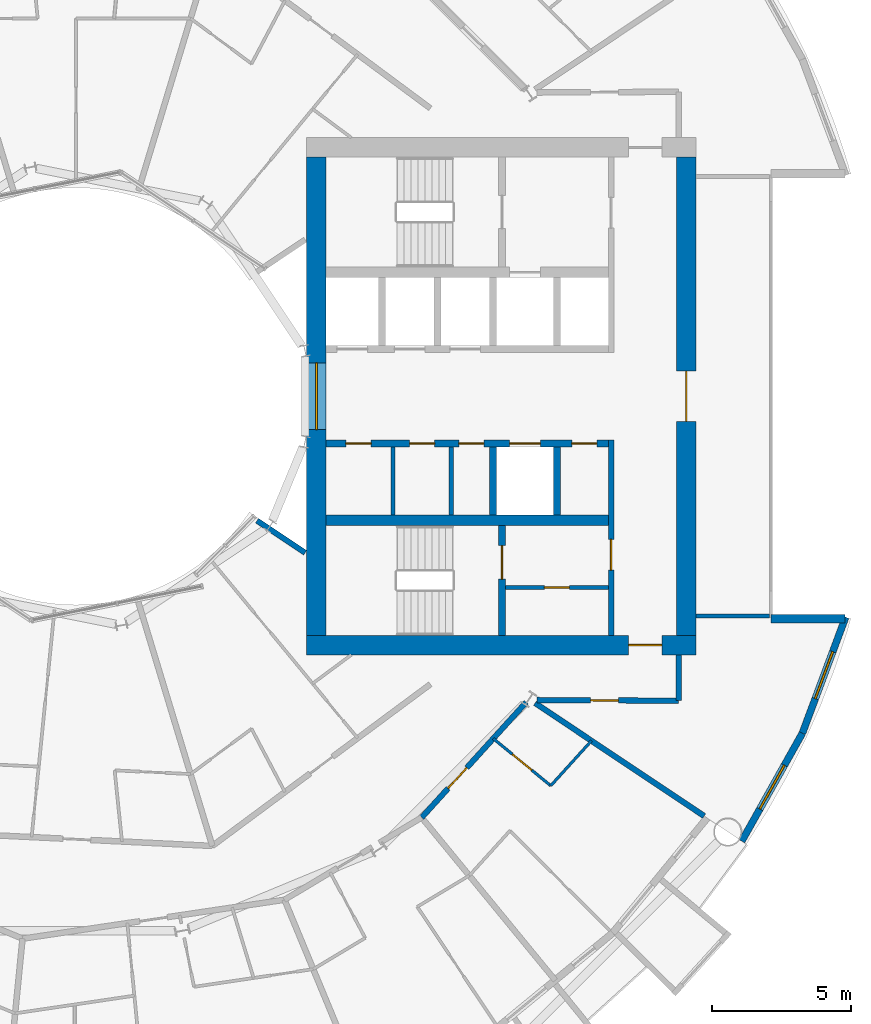
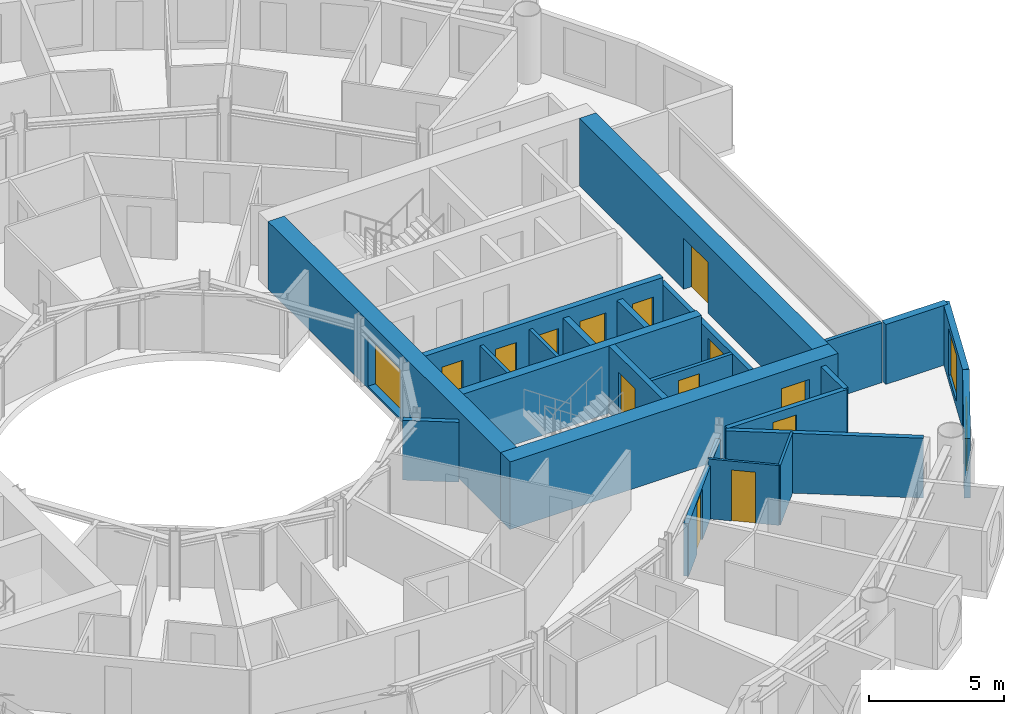
# One storey, part 17 of 26: 23 walls, 13 doors, 3 windows, 16 openings.
"""IFC4 building model written with IfcOpenShell, lengths in metres."""

from ifc_helpers import new_model, si_unit, direction, frame, frame_2d, origin, place, context, subcontext, project, spatial, rectangle, extrude, material, layer, layer_set, type_object, element, fill, save


model = new_model("IFC4")

# Units and contexts
model_context = context("Model", 3, precision=1e-05, world=origin(), true_north=direction((0.0, 1.0)))
body_context = subcontext(model_context, "Body", "Model", "MODEL_VIEW")
ifc_project = project(units=[si_unit("LENGTHUNIT", "METRE"), si_unit("AREAUNIT", "SQUARE_METRE"), si_unit("VOLUMEUNIT", "CUBIC_METRE"), si_unit("PLANEANGLEUNIT", "RADIAN"), si_unit("MASSUNIT", "GRAM", prefix="KILO")], contexts=[model_context])

# Site, building, storey
site_placement = place(None, origin())
site = spatial("IfcSite", under=ifc_project, at=site_placement, CompositionType="ELEMENT")
building_placement = place(site_placement, origin())
building = spatial("IfcBuilding", under=site, at=building_placement, Name="Maasbend Ring Residences", CompositionType="ELEMENT")
storey_placement = place(building_placement, frame((0.0, 0.0, 75.800048828125)))
storey = spatial("IfcBuildingStorey", under=building, at=storey_placement, Name="L21", CompositionType="ELEMENT", Elevation=75.800048828125)

# Wall, openings, doors
ifc_material_1 = material(Name="Concrete C70/85", Category="concrete")
ifc_layer_1 = layer(ifc_material_1, 0.25)
ifc_layer_set_1 = layer_set([ifc_layer_1], Name="Concrete C70/85")
wall_type_1 = type_object("IfcWallType", Name="CORE WALL 250 C70/85", PredefinedType="SHEAR", material=ifc_layer_set_1)
wall_1_placement = place(storey_placement, frame((19.14990234375, -1.699951171875, 0.0), z_axis=(0.0, 0.0, 1.0), x_axis=(-1.0, 0.0, 0.0)))
wall_1 = element("IfcWall", 1, at=wall_1_placement, inside=storey, type_object=wall_type_1, Name="L21 core E wall SPS", PredefinedType="SHEAR", context=body_context, shape_type="SweptSolid", body=[
    extrude(rectangle(XDim=10.14990234375, YDim=0.25, at=frame_2d((5.074951171875, 0.0))), origin(), (0.0, 0.0, 1.0), 3.050048828125),
])
opening_1_placement = place(wall_1_placement, frame((2.449951171875, 0.0, 0.0)))
opening_1 = element("IfcOpeningElement", 2, at=opening_1_placement, cuts=wall_1, Name="Opening LD-E2105", PredefinedType="OPENING", context=body_context, shape_type="SweptSolid", body=[
    extrude(rectangle(XDim=1.10009765625, YDim=2.300048828125, at=frame_2d((0.550048828125, 1.14990234375))), frame((0.0, 0.135009765625, 0.0), z_axis=(0.0, -1.0, 0.0), x_axis=(1.0, 0.0, 0.0)), (0.0, 0.0, 1.0), 0.27001953125),
])
opening_2_placement = place(wall_1_placement, frame((8.53759765625, 0.0, 0.0)))
opening_2 = element("IfcOpeningElement", 3, at=opening_2_placement, cuts=wall_1, Name="Opening D-E2106", PredefinedType="OPENING", context=body_context, shape_type="SweptSolid", body=[
    extrude(rectangle(XDim=0.89990234375, YDim=2.300048828125, at=frame_2d((0.449951171875, 1.14990234375))), frame((0.0, 0.135009765625, 0.0), z_axis=(0.0, -1.0, 0.0), x_axis=(1.0, 0.0, 0.0)), (0.0, 0.0, 1.0), 0.27001953125),
])
opening_3_placement = place(wall_1_placement, frame((6.25, 0.0, 0.0)))
opening_3 = element("IfcOpeningElement", 4, at=opening_3_placement, cuts=wall_1, Name="Opening D-E2107", PredefinedType="OPENING", context=body_context, shape_type="SweptSolid", body=[
    extrude(rectangle(XDim=0.89990234375, YDim=2.300048828125, at=frame_2d((0.449951171875, 1.14990234375))), frame((0.0, 0.135009765625, 0.0), z_axis=(0.0, -1.0, 0.0), x_axis=(1.0, 0.0, 0.0)), (0.0, 0.0, 1.0), 0.27001953125),
])
opening_4_placement = place(wall_1_placement, frame((4.47509765625, 0.0, 0.0)))
opening_4 = element("IfcOpeningElement", 5, at=opening_4_placement, cuts=wall_1, Name="Opening D-E2108", PredefinedType="OPENING", context=body_context, shape_type="SweptSolid", body=[
    extrude(rectangle(XDim=0.89990234375, YDim=2.300048828125, at=frame_2d((0.449951171875, 1.14990234375))), frame((0.0, 0.135009765625, 0.0), z_axis=(0.0, -1.0, 0.0), x_axis=(1.0, 0.0, 0.0)), (0.0, 0.0, 1.0), 0.27001953125),
])
opening_5_placement = place(wall_1_placement, frame((0.41259765625, 0.0, 0.0)))
opening_5 = element("IfcOpeningElement", 6, at=opening_5_placement, cuts=wall_1, Name="Opening D-E2109", PredefinedType="OPENING", context=body_context, shape_type="SweptSolid", body=[
    extrude(rectangle(XDim=0.89990234375, YDim=2.300048828125, at=frame_2d((0.449951171875, 1.14990234375))), frame((0.0, 0.135009765625, 0.0), z_axis=(0.0, -1.0, 0.0), x_axis=(1.0, 0.0, 0.0)), (0.0, 0.0, 1.0), 0.27001953125),
])
ifc_material_2 = material(Name="Stainless steel 316", Category="steel")
door_type_1 = type_object("IfcDoorType", Name="LANDING DOOR 1100 X 2300 FD60", OperationType="DOUBLE_DOOR_SLIDING", PredefinedType="DOOR", material=ifc_material_2)
door_1_placement = place(opening_1_placement, origin())
door_1 = element("IfcDoor", 7, at=door_1_placement, inside=storey, type_object=door_type_1, Name="Landing door SV-E L21", OperationType="DOUBLE_DOOR_SLIDING", OverallHeight=2.300048828125, OverallWidth=1.10009765625, PredefinedType="DOOR", context=body_context, shape_type="SweptSolid", body=[
    extrude(rectangle(XDim=1.10009765625, YDim=2.300048828125, at=frame_2d((0.550048828125, 1.14990234375))), frame((0.0, 0.02490234375, 0.0), z_axis=(0.0, -1.0, 0.0), x_axis=(1.0, 0.0, 0.0)), (0.0, 0.0, 1.0), 0.050048828125),
])
fill(opening_1, door_1)
ifc_material_3 = material(Name="Steel, powder coated", Category="steel")
door_type_2 = type_object("IfcDoorType", Name="ROOM DOOR 900 X 2300 FD30S", OperationType="NOTDEFINED", PredefinedType="DOOR", material=ifc_material_3)
door_2_placement = place(opening_2_placement, origin())
door_2 = element("IfcDoor", 8, at=door_2_placement, inside=storey, type_object=door_type_2, Name="Room door L21", OperationType="SINGLE_SWING_LEFT", OverallHeight=2.300048828125, OverallWidth=0.89990234375, PredefinedType="DOOR", context=body_context, shape_type="SweptSolid", body=[
    extrude(rectangle(XDim=0.89990234375, YDim=2.300048828125, at=frame_2d((0.449951171875, 1.14990234375))), frame((0.0, 0.02490234375, 0.0), z_axis=(0.0, -1.0, 0.0), x_axis=(1.0, 0.0, 0.0)), (0.0, 0.0, 1.0), 0.050048828125),
])
fill(opening_2, door_2)
door_3_placement = place(opening_3_placement, origin())
door_3 = element("IfcDoor", 9, at=door_3_placement, inside=storey, type_object=door_type_2, Name="Room door L21", OperationType="SINGLE_SWING_LEFT", OverallHeight=2.300048828125, OverallWidth=0.89990234375, PredefinedType="DOOR", context=body_context, shape_type="SweptSolid", body=[
    extrude(rectangle(XDim=0.89990234375, YDim=2.300048828125, at=frame_2d((0.449951171875, 1.14990234375))), frame((0.0, 0.02490234375, 0.0), z_axis=(0.0, -1.0, 0.0), x_axis=(1.0, 0.0, 0.0)), (0.0, 0.0, 1.0), 0.050048828125),
])
fill(opening_3, door_3)
door_4_placement = place(opening_4_placement, origin())
door_4 = element("IfcDoor", 10, at=door_4_placement, inside=storey, type_object=door_type_2, Name="Room door L21", OperationType="SINGLE_SWING_RIGHT", OverallHeight=2.300048828125, OverallWidth=0.89990234375, PredefinedType="DOOR", context=body_context, shape_type="SweptSolid", body=[
    extrude(rectangle(XDim=0.89990234375, YDim=2.300048828125, at=frame_2d((0.449951171875, 1.14990234375))), frame((0.0, 0.02490234375, 0.0), z_axis=(0.0, -1.0, 0.0), x_axis=(1.0, 0.0, 0.0)), (0.0, 0.0, 1.0), 0.050048828125),
])
fill(opening_4, door_4)
door_5_placement = place(opening_5_placement, origin())
door_5 = element("IfcDoor", 11, at=door_5_placement, inside=storey, type_object=door_type_2, Name="Room door L21", OperationType="SINGLE_SWING_RIGHT", OverallHeight=2.300048828125, OverallWidth=0.89990234375, PredefinedType="DOOR", context=body_context, shape_type="SweptSolid", body=[
    extrude(rectangle(XDim=0.89990234375, YDim=2.300048828125, at=frame_2d((0.449951171875, 1.14990234375))), frame((0.0, 0.02490234375, 0.0), z_axis=(0.0, -1.0, 0.0), x_axis=(1.0, 0.0, 0.0)), (0.0, 0.0, 1.0), 0.050048828125),
])
fill(opening_5, door_5)

# Wall, opening, door
wall_2_placement = place(storey_placement, frame((15.324951171875, -8.60009765625, 0.0), z_axis=(0.0, 0.0, 1.0), x_axis=(0.0, 1.0, 0.0)))
wall_2 = element("IfcWall", 12, at=wall_2_placement, inside=storey, type_object=wall_type_1, Name="L21 core E wall STES", PredefinedType="SHEAR", context=body_context, shape_type="SweptSolid", body=[
    extrude(rectangle(XDim=3.9501953125, YDim=0.25, at=frame_2d((1.97509765625, 0.0))), origin(), (0.0, 0.0, 1.0), 3.050048828125),
])
opening_6_placement = place(wall_2_placement, frame((2.02490234375, 0.0, 0.0)))
opening_6 = element("IfcOpeningElement", 13, at=opening_6_placement, cuts=wall_2, Name="Opening D-E2112", PredefinedType="OPENING", context=body_context, shape_type="SweptSolid", body=[
    extrude(rectangle(XDim=1.199951171875, YDim=2.300048828125, at=frame_2d((0.60009765625, 1.14990234375))), frame((0.0, 0.135009765625, 0.0), z_axis=(0.0, -1.0, 0.0), x_axis=(1.0, 0.0, 0.0)), (0.0, 0.0, 1.0), 0.27001953125),
])
ifc_material_4 = material(Name="Steel, powder coated", Category="steel")
door_type_3 = type_object("IfcDoorType", Name="STAIR DOOR 1200 X 2300 FD60", OperationType="NOTDEFINED", PredefinedType="DOOR", material=ifc_material_4)
door_6_placement = place(opening_6_placement, origin())
door_6 = element("IfcDoor", 14, at=door_6_placement, inside=storey, type_object=door_type_3, Name="Stair door ST-E L21", OperationType="SINGLE_SWING_LEFT", OverallHeight=2.300048828125, OverallWidth=1.199951171875, PredefinedType="DOOR", context=body_context, shape_type="SweptSolid", body=[
    extrude(rectangle(XDim=1.199951171875, YDim=2.300048828125, at=frame_2d((0.60009765625, 1.14990234375))), frame((0.0, 0.02490234375, 0.0), z_axis=(0.0, -1.0, 0.0), x_axis=(1.0, 0.0, 0.0)), (0.0, 0.0, 1.0), 0.050048828125),
])
fill(opening_6, door_6)

# Wall
ifc_material_5 = material(Name="Concrete C70/85", Category="concrete")
ifc_layer_2 = layer(ifc_material_5, 0.375)
ifc_layer_set_2 = layer_set([ifc_layer_2], Name="Concrete C70/85")
wall_type_2 = type_object("IfcWallType", Name="CORE WALL 375 C70/85", PredefinedType="SHEAR", material=ifc_layer_set_2)
wall_3_placement = place(storey_placement, frame((9.0, -4.46240234375, 0.0), z_axis=(0.0, 0.0, 1.0), x_axis=(1.0, 0.0, 0.0)))
element("IfcWall", 15, at=wall_3_placement, inside=storey, type_object=wall_type_2, Name="L21 core E wall BS", PredefinedType="SHEAR", context=body_context, shape_type="SweptSolid", body=[
    extrude(rectangle(XDim=10.14990234375, YDim=0.375, at=frame_2d((5.074951171875, 0.0))), origin(), (0.0, 0.0, 1.0), 3.050048828125),
])

# Wall, opening, door
ifc_material_6 = material(Name="Concrete C70/85", Category="concrete")
ifc_layer_3 = layer(ifc_material_6, 0.699951171875)
ifc_layer_set_3 = layer_set([ifc_layer_3], Name="Concrete C70/85")
wall_type_3 = type_object("IfcWallType", Name="CORE WALL 700 C70/85", PredefinedType="SHEAR", material=ifc_layer_set_3)
wall_4_placement = place(storey_placement, frame((8.300048828125, -8.949951171875, 0.0), z_axis=(0.0, 0.0, 1.0), x_axis=(1.0, 0.0, 0.0)))
wall_4 = element("IfcWall", 16, at=wall_4_placement, inside=storey, type_object=wall_type_3, Name="L21 core E wall PS", PredefinedType="SHEAR", context=body_context, shape_type="SweptSolid", body=[
    extrude(rectangle(XDim=14.0, YDim=0.699951171875, at=frame_2d((7.0, 0.0))), origin(), (0.0, 0.0, 1.0), 3.050048828125),
])
opening_7_placement = place(wall_4_placement, frame((11.574951171875, 0.0, 0.0)))
opening_7 = element("IfcOpeningElement", 17, at=opening_7_placement, cuts=wall_4, Name="Opening D-E2116", PredefinedType="OPENING", context=body_context, shape_type="SweptSolid", body=[
    extrude(rectangle(XDim=1.199951171875, YDim=2.300048828125, at=frame_2d((0.60009765625, 1.14990234375))), frame((0.0, 0.35986328125, 0.0), z_axis=(0.0, -1.0, 0.0), x_axis=(1.0, 0.0, 0.0)), (0.0, 0.0, 1.0), 0.719970703125),
])
ifc_material_7 = material(Name="Steel, powder coated", Category="steel")
door_type_4 = type_object("IfcDoorType", Name="CORRIDOR DOOR 1200 X 2300 FD30S", OperationType="NOTDEFINED", PredefinedType="DOOR", material=ifc_material_7)
door_7_placement = place(opening_7_placement, origin())
door_7 = element("IfcDoor", 18, at=door_7_placement, inside=storey, type_object=door_type_4, Name="Corridor door L21", OperationType="SINGLE_SWING_LEFT", OverallHeight=2.300048828125, OverallWidth=1.199951171875, PredefinedType="DOOR", context=body_context, shape_type="SweptSolid", body=[
    extrude(rectangle(XDim=1.199951171875, YDim=2.300048828125, at=frame_2d((0.60009765625, 1.14990234375))), frame((0.0, 0.02490234375, 0.0), z_axis=(0.0, -1.0, 0.0), x_axis=(1.0, 0.0, 0.0)), (0.0, 0.0, 1.0), 0.050048828125),
])
fill(opening_7, door_7)

wall_5_placement = place(storey_placement, frame((21.949951171875, 8.60009765625, 0.0), z_axis=(0.0, 0.0, 1.0), x_axis=(0.0, -1.0, 0.0)))
wall_5 = element("IfcWall", 19, at=wall_5_placement, inside=storey, type_object=wall_type_3, Name="L21 core E wall POUT", PredefinedType="SHEAR", context=body_context, shape_type="SweptSolid", body=[
    extrude(rectangle(XDim=17.2001953125, YDim=0.699951171875, at=frame_2d((8.60009765625, 0.0))), origin(), (0.0, 0.0, 1.0), 3.050048828125),
])
opening_8_placement = place(wall_5_placement, frame((7.699951171875, 0.0, 0.0)))
opening_8 = element("IfcOpeningElement", 20, at=opening_8_placement, cuts=wall_5, Name="Opening D-E2117", PredefinedType="OPENING", context=body_context, shape_type="SweptSolid", body=[
    extrude(rectangle(XDim=1.800048828125, YDim=2.300048828125, at=frame_2d((0.89990234375, 1.14990234375))), frame((0.0, 0.35986328125, 0.0), z_axis=(0.0, -1.0, 0.0), x_axis=(1.0, 0.0, 0.0)), (0.0, 0.0, 1.0), 0.719970703125),
])
ifc_material_8 = material(Name="Aluminium frame, clear glass", Category="aluminium")
door_type_5 = type_object("IfcDoorType", Name="ENTRANCE DOOR 1800 X 2300 FD60", OperationType="NOTDEFINED", PredefinedType="DOOR", material=ifc_material_8)
door_8_placement = place(opening_8_placement, origin())
door_8 = element("IfcDoor", 21, at=door_8_placement, inside=storey, type_object=door_type_5, Name="Lobby glazed door L21", OperationType="SINGLE_SWING_LEFT", OverallHeight=2.300048828125, OverallWidth=1.800048828125, PredefinedType="DOOR", context=body_context, shape_type="SweptSolid", body=[
    extrude(rectangle(XDim=1.800048828125, YDim=2.300048828125, at=frame_2d((0.89990234375, 1.14990234375))), frame((0.0, 0.02490234375, 0.0), z_axis=(0.0, -1.0, 0.0), x_axis=(1.0, 0.0, 0.0)), (0.0, 0.0, 1.0), 0.050048828125),
])
fill(opening_8, door_8)

# Wall, opening, window
wall_6_placement = place(storey_placement, frame((8.64990234375, -8.60009765625, 0.0), z_axis=(0.0, 0.0, 1.0), x_axis=(0.0, 1.0, 0.0)))
wall_6 = element("IfcWall", 22, at=wall_6_placement, inside=storey, type_object=wall_type_3, Name="L21 core E wall PIN", PredefinedType="SHEAR", context=body_context, shape_type="SweptSolid", body=[
    extrude(rectangle(XDim=17.2001953125, YDim=0.699951171875, at=frame_2d((8.60009765625, 0.0))), origin(), (0.0, 0.0, 1.0), 3.050048828125),
])
opening_9_placement = place(wall_6_placement, frame((7.39990234375, 0.0, 0.10009765625)))
opening_9 = element("IfcOpeningElement", 23, at=opening_9_placement, cuts=wall_6, Name="Opening W-E2101", PredefinedType="OPENING", context=body_context, shape_type="SweptSolid", body=[
    extrude(rectangle(XDim=2.39990234375, YDim=2.199951171875, at=frame_2d((1.199951171875, 1.10009765625))), frame((0.0, 0.35986328125, 0.0), z_axis=(0.0, -1.0, 0.0), x_axis=(1.0, 0.0, 0.0)), (0.0, 0.0, 1.0), 0.719970703125),
])
ifc_material_9 = material(Name="Aluminium frame and clear glass", Category="aluminium")
window_type_1 = type_object("IfcWindowType", Name="FIXED WINDOW 2400 X 2200", PartitioningType="SINGLE_PANEL", PredefinedType="WINDOW", material=ifc_material_9)
window_1_placement = place(opening_9_placement, origin())
window_1 = element("IfcWindow", 24, at=window_1_placement, inside=storey, type_object=window_type_1, Name="Lobby window L21", OverallHeight=2.199951171875, OverallWidth=2.39990234375, PartitioningType="SINGLE_PANEL", PredefinedType="WINDOW", context=body_context, shape_type="SweptSolid", body=[
    extrude(rectangle(XDim=2.39990234375, YDim=2.199951171875, at=frame_2d((1.199951171875, 1.10009765625))), frame((0.0, 0.030029296875, 0.0), z_axis=(0.0, -1.0, 0.0), x_axis=(1.0, 0.0, 0.0)), (0.0, 0.0, 1.0), 0.06005859375),
])
fill(opening_9, window_1)

# Wall
ifc_material_10 = material(Name="Concrete C30/37", Category="concrete")
ifc_layer_4 = layer(ifc_material_10, 0.199951171875)
ifc_layer_set_4 = layer_set([ifc_layer_4], Name="Concrete C30/37")
wall_type_4 = type_object("IfcWallType", Name="CORRIDOR WALL 200 CONCRETE", PredefinedType="PARTITIONING", material=ifc_layer_set_4)
wall_7_placement = place(storey_placement, frame((21.675048828125, -10.949951171875, 0.0), z_axis=(0.0, 0.0, 1.0), x_axis=(0.0, 1.0, 0.0)))
element("IfcWall", 25, at=wall_7_placement, inside=storey, type_object=wall_type_4, Name="U-L21-w007", PredefinedType="PARTITIONING", context=body_context, shape_type="SweptSolid", body=[
    extrude(rectangle(XDim=1.64990234375, YDim=0.199951171875, at=frame_2d((0.824951171875, 0.0))), origin(), (0.0, 0.0, 1.0), 2.699951171875),
])

# Wall, opening, door
wall_8_placement = place(storey_placement, frame((12.43408203125, -15.15087890625, 0.0), z_axis=(0.0, 0.0, 1.0), x_axis=(0.671601747072, 0.740912338492, 0.0)))
wall_8 = element("IfcWall", 26, at=wall_8_placement, inside=storey, type_object=wall_type_4, Name="U-L21-w016", PredefinedType="PARTITIONING", context=body_context, shape_type="SweptSolid", body=[
    extrude(rectangle(XDim=5.59716796875, YDim=0.199951171875, at=frame_2d((2.798583984375, 0.0))), origin(), (0.0, 0.0, 1.0), 2.3798828125),
])
opening_10_placement = place(wall_8_placement, frame((1.4169921875, 0.0, 0.0)))
opening_10 = element("IfcOpeningElement", 27, at=opening_10_placement, cuts=wall_8, Name="Opening D-2152", PredefinedType="OPENING", context=body_context, shape_type="SweptSolid", body=[
    extrude(rectangle(XDim=1.0, YDim=2.300048828125, at=frame_2d((0.5, 1.14990234375))), frame((0.0, 0.10986328125, 0.0), z_axis=(0.0, -1.0, 0.0), x_axis=(1.0, 0.0, 0.0)), (0.0, 0.0, 1.0), 0.219970703125),
])
ifc_material_11 = material(Name="Timber, fire-rated, painted", Category="wood")
door_type_6 = type_object("IfcDoorType", Name="FLAT ENTRANCE DOOR 1000 X 2300 FIRE-RATED", OperationType="NOTDEFINED", PredefinedType="DOOR", material=ifc_material_11)
door_9_placement = place(opening_10_placement, origin())
door_9 = element("IfcDoor", 28, at=door_9_placement, inside=storey, type_object=door_type_6, Name="D-2152", OperationType="SINGLE_SWING_LEFT", OverallHeight=2.300048828125, OverallWidth=1.0, PredefinedType="DOOR", context=body_context, shape_type="SweptSolid", body=[
    extrude(rectangle(XDim=1.0, YDim=2.300048828125, at=frame_2d((0.5, 1.14990234375))), frame((0.0, 0.02490234375, 0.0), z_axis=(0.0, -1.0, 0.0), x_axis=(1.0, 0.0, 0.0)), (0.0, 0.0, 1.0), 0.050048828125),
])
fill(opening_10, door_9)

wall_9_placement = place(storey_placement, frame((16.589111328125, -10.924072265625, 0.0), z_axis=(0.0, 0.0, 1.0), x_axis=(0.999987054722, -0.005088259783, 0.0)))
wall_9 = element("IfcWall", 29, at=wall_9_placement, inside=storey, type_object=wall_type_4, Name="U-L21-w029", PredefinedType="PARTITIONING", context=body_context, shape_type="SweptSolid", body=[
    extrude(rectangle(XDim=5.0859375, YDim=0.199951171875, at=frame_2d((2.54296875, 0.0))), origin(), (0.0, 0.0, 1.0), 2.699951171875),
])
opening_11_placement = place(wall_9_placement, frame((1.923095703125, 0.0, 0.0)))
opening_11 = element("IfcOpeningElement", 30, at=opening_11_placement, cuts=wall_9, Name="Opening D-2170", PredefinedType="OPENING", context=body_context, shape_type="SweptSolid", body=[
    extrude(rectangle(XDim=1.0, YDim=2.300048828125, at=frame_2d((0.5, 1.14990234375))), frame((0.0, 0.10986328125, 0.0), z_axis=(0.0, -1.0, 0.0), x_axis=(1.0, 0.0, 0.0)), (0.0, 0.0, 1.0), 0.219970703125),
])
ifc_material_12 = material(Name="Timber, painted", Category="wood")
door_type_7 = type_object("IfcDoorType", Name="ROOM DOOR 1000 X 2300", OperationType="NOTDEFINED", PredefinedType="DOOR", material=ifc_material_12)
door_10_placement = place(opening_11_placement, origin())
door_10 = element("IfcDoor", 31, at=door_10_placement, inside=storey, type_object=door_type_7, Name="D-2170", OperationType="SINGLE_SWING_LEFT", OverallHeight=2.300048828125, OverallWidth=1.0, PredefinedType="DOOR", context=body_context, shape_type="SweptSolid", body=[
    extrude(rectangle(XDim=1.0, YDim=2.300048828125, at=frame_2d((0.5, 1.14990234375))), frame((0.0, 0.02490234375, 0.0), z_axis=(0.0, -1.0, 0.0), x_axis=(1.0, 0.0, 0.0)), (0.0, 0.0, 1.0), 0.050048828125),
])
fill(opening_11, door_10)

# Wall, opening, window
ifc_material_13 = material(Name="Aluminium clad insulated panel", Category="aluminium")
ifc_layer_5 = layer(ifc_material_13, 0.25)
ifc_layer_set_5 = layer_set([ifc_layer_5], Name="EW-HORN")
wall_type_5 = type_object("IfcWallType", Name="EW-HORN", PredefinedType="SOLIDWALL", material=ifc_layer_set_5)
wall_10_placement = place(storey_placement, frame((23.946044921875, -16.0, 0.0), z_axis=(0.0, 0.0, 1.0), x_axis=(0.489696356642, 0.871893042919, 0.0)))
wall_10 = element("IfcWall", 32, at=wall_10_placement, inside=storey, type_object=wall_type_5, Name="Horn wall 2.1", PredefinedType="SOLIDWALL", context=body_context, shape_type="SweptSolid", body=[
    extrude(rectangle(XDim=4.45361328125, YDim=0.25, at=frame_2d((2.226806640625, 0.0))), origin(), (0.0, 0.0, 1.0), 2.699951171875),
])
opening_12_placement = place(wall_10_placement, frame((1.32666015625, 0.0, 0.300048828125)))
opening_12 = element("IfcOpeningElement", 33, at=opening_12_placement, cuts=wall_10, Name="Opening W-BX", PredefinedType="OPENING", context=body_context, shape_type="SweptSolid", body=[
    extrude(rectangle(XDim=1.800048828125, YDim=2.10009765625, at=frame_2d((0.89990234375, 1.050048828125))), frame((0.0, 0.135009765625, 0.0), z_axis=(0.0, -1.0, 0.0), x_axis=(1.0, 0.0, 0.0)), (0.0, 0.0, 1.0), 0.27001953125),
])
ifc_material_14 = material(Name="Aluminium and clear glass", Category="aluminium")
window_type_2 = type_object("IfcWindowType", Name="W-BX", PartitioningType="DOUBLE_PANEL_VERTICAL", PredefinedType="WINDOW", material=ifc_material_14)
window_2_placement = place(opening_12_placement, origin())
window_2 = element("IfcWindow", 34, at=window_2_placement, inside=storey, type_object=window_type_2, Name="Horn window 2.1", OverallHeight=2.10009765625, OverallWidth=1.800048828125, PartitioningType="SINGLE_PANEL", PredefinedType="WINDOW", context=body_context, shape_type="SweptSolid", body=[
    extrude(rectangle(XDim=1.800048828125, YDim=2.10009765625, at=frame_2d((0.89990234375, 1.050048828125))), frame((0.0, 0.030029296875, 0.0), z_axis=(0.0, -1.0, 0.0), x_axis=(1.0, 0.0, 0.0)), (0.0, 0.0, 1.0), 0.06005859375),
])
fill(opening_12, window_2)

wall_11_placement = place(storey_placement, frame((26.126953125, -12.116943359375, 0.0), z_axis=(0.0, 0.0, 1.0), x_axis=(0.349247811493, 0.937030397675, 0.0)))
wall_11 = element("IfcWall", 35, at=wall_11_placement, inside=storey, type_object=wall_type_5, Name="Horn wall 2.2", PredefinedType="SOLIDWALL", context=body_context, shape_type="SweptSolid", body=[
    extrude(rectangle(XDim=4.4521484375, YDim=0.25, at=frame_2d((2.22607421875, 0.0))), origin(), (0.0, 0.0, 1.0), 2.699951171875),
])
opening_13_placement = place(wall_11_placement, frame((1.32666015625, 0.0, 0.300048828125)))
opening_13 = element("IfcOpeningElement", 36, at=opening_13_placement, cuts=wall_11, Name="Opening W-BX", PredefinedType="OPENING", context=body_context, shape_type="SweptSolid", body=[
    extrude(rectangle(XDim=1.800048828125, YDim=2.10009765625, at=frame_2d((0.89990234375, 1.050048828125))), frame((0.0, 0.135009765625, 0.0), z_axis=(0.0, -1.0, 0.0), x_axis=(1.0, 0.0, 0.0)), (0.0, 0.0, 1.0), 0.27001953125),
])
window_3_placement = place(opening_13_placement, origin())
window_3 = element("IfcWindow", 37, at=window_3_placement, inside=storey, type_object=window_type_2, Name="Horn window 2.2", OverallHeight=2.10009765625, OverallWidth=1.800048828125, PartitioningType="SINGLE_PANEL", PredefinedType="WINDOW", context=body_context, shape_type="SweptSolid", body=[
    extrude(rectangle(XDim=1.800048828125, YDim=2.10009765625, at=frame_2d((0.89990234375, 1.050048828125))), frame((0.0, 0.030029296875, 0.0), z_axis=(0.0, -1.0, 0.0), x_axis=(1.0, 0.0, 0.0)), (0.0, 0.0, 1.0), 0.06005859375),
])
fill(opening_13, window_3)

# Walls
ifc_material_15 = material(Name="Aluminium clad insulated panel", Category="aluminium")
ifc_layer_6 = layer(ifc_material_15, 0.300048828125)
ifc_layer_set_6 = layer_set([ifc_layer_6], Name="EW-RET")
wall_type_6 = type_object("IfcWallType", Name="EW-RET", PredefinedType="SOLIDWALL", material=ifc_layer_set_6)
wall_12_placement = place(storey_placement, frame((25.0, -8.0, 0.0), z_axis=(0.0, 0.0, 1.0), x_axis=(1.0, 0.0, 0.0)))
element("IfcWall", 38, at=wall_12_placement, inside=storey, type_object=wall_type_6, Name="Notch return wall east south", PredefinedType="SOLIDWALL", context=body_context, shape_type="SweptSolid", body=[
    extrude(rectangle(XDim=2.6669921875, YDim=0.300048828125, at=frame_2d((1.33349609375, 0.0))), origin(), (0.0, 0.0, 1.0), 2.699951171875),
])
ifc_material_16 = material(Name="Gypsum board on steel studs", Category="steel")
ifc_layer_7 = layer(ifc_material_16, 0.10009765625)
ifc_layer_set_7 = layer_set([ifc_layer_7], Name="PARTITION 100 GYPSUM")
wall_type_7 = type_object("IfcWallType", Name="PARTITION 100 GYPSUM", PredefinedType="PARTITIONING", material=ifc_layer_set_7)
wall_13_placement = place(storey_placement, frame((17.076904296875, -14.006103515625, 0.0), z_axis=(0.0, 0.0, 1.0), x_axis=(0.671396556615, 0.741098282123, 0.0)))
element("IfcWall", 39, at=wall_13_placement, inside=storey, type_object=wall_type_7, Name="U-L21-w006", PredefinedType="PARTITIONING", context=body_context, shape_type="SweptSolid", body=[
    extrude(rectangle(XDim=2.18212890625, YDim=0.10009765625, at=frame_2d((1.091064453125, 0.0))), origin(), (0.0, 0.0, 1.0), 2.699951171875),
])

# Wall, opening, door
wall_14_placement = place(storey_placement, frame((15.009033203125, -12.31005859375, 0.0), z_axis=(0.0, 0.0, 1.0), x_axis=(0.77319617123, -0.634166918717, 0.0)))
wall_14 = element("IfcWall", 40, at=wall_14_placement, inside=storey, type_object=wall_type_7, Name="U-L21-w088", PredefinedType="PARTITIONING", context=body_context, shape_type="SweptSolid", body=[
    extrude(rectangle(XDim=2.674560546875, YDim=0.10009765625, at=frame_2d((1.33740234375, 0.0))), origin(), (0.0, 0.0, 1.0), 2.699951171875),
])
opening_14_placement = place(wall_14_placement, frame((0.886962890625, 0.0, 0.0)))
opening_14 = element("IfcOpeningElement", 41, at=opening_14_placement, cuts=wall_14, Name="Opening D-2153", PredefinedType="OPENING", context=body_context, shape_type="SweptSolid", body=[
    extrude(rectangle(XDim=0.89990234375, YDim=2.300048828125, at=frame_2d((0.449951171875, 1.14990234375))), frame((0.0, 0.06005859375, 0.0), z_axis=(0.0, -1.0, 0.0), x_axis=(1.0, 0.0, 0.0)), (0.0, 0.0, 1.0), 0.1201171875),
])
ifc_material_17 = material(Name="Timber, painted", Category="wood")
door_type_8 = type_object("IfcDoorType", Name="INTERNAL DOOR 900 X 2300", OperationType="NOTDEFINED", PredefinedType="DOOR", material=ifc_material_17)
door_11_placement = place(opening_14_placement, origin())
door_11 = element("IfcDoor", 42, at=door_11_placement, inside=storey, type_object=door_type_8, Name="D-2153", OperationType="SINGLE_SWING_RIGHT", OverallHeight=2.300048828125, OverallWidth=0.89990234375, PredefinedType="DOOR", context=body_context, shape_type="SweptSolid", body=[
    extrude(rectangle(XDim=0.89990234375, YDim=2.300048828125, at=frame_2d((0.449951171875, 1.14990234375))), frame((0.0, 0.02490234375, 0.0), z_axis=(0.0, -1.0, 0.0), x_axis=(1.0, 0.0, 0.0)), (0.0, 0.0, 1.0), 0.050048828125),
])
fill(opening_14, door_11)

# Walls
ifc_material_18 = material(Name="Gypsum board on steel studs", Category="steel")
ifc_layer_8 = layer(ifc_material_18, 0.14990234375)
ifc_layer_set_8 = layer_set([ifc_layer_8], Name="PARTITION 150 EI 60")
wall_type_8 = type_object("IfcWallType", Name="PARTITION 150 EI 60", PredefinedType="PARTITIONING", material=ifc_layer_set_8)
for number, where, z_axis, x_axis, name in (
    (43, (11.39990234375, -1.824951171875, 0.0), (0.0, 0.0, 1.0), (0.0, -1.0, 0.0), "L21 core E wall PRS1140"),
    (44, (13.5, -1.824951171875, 0.0), (0.0, 0.0, 1.0), (0.0, -1.0, 0.0), "L21 core E wall PRS1350"),
):
    element("IfcWall", number, at=place(storey_placement, frame(where, z_axis=z_axis, x_axis=x_axis)), inside=storey, type_object=wall_type_8, Name=name, PredefinedType="PARTITIONING", context=body_context, shape_type="SweptSolid", body=[
        extrude(rectangle(XDim=2.449951171875, YDim=0.14990234375, at=frame_2d((1.22509765625, 0.0))), origin(), (0.0, 0.0, 1.0), 2.699951171875),
    ])

# Wall, opening, door
wall_15_placement = place(storey_placement, frame((15.449951171875, -6.875, 0.0), z_axis=(0.0, 0.0, 1.0), x_axis=(1.0, 0.0, 0.0)))
wall_15 = element("IfcWall", 45, at=wall_15_placement, inside=storey, type_object=wall_type_8, Name="L21 core E wall RHS", PredefinedType="PARTITIONING", context=body_context, shape_type="SweptSolid", body=[
    extrude(rectangle(XDim=3.699951171875, YDim=0.14990234375, at=frame_2d((1.85009765625, 0.0))), origin(), (0.0, 0.0, 1.0), 2.699951171875),
])
opening_15_placement = place(wall_15_placement, frame((1.39990234375, 0.0, 0.0)))
opening_15 = element("IfcOpeningElement", 46, at=opening_15_placement, cuts=wall_15, Name="Opening D-E2110", PredefinedType="OPENING", context=body_context, shape_type="SweptSolid", body=[
    extrude(rectangle(XDim=0.89990234375, YDim=2.300048828125, at=frame_2d((0.449951171875, 1.14990234375))), frame((0.0, 0.0849609375, 0.0), z_axis=(0.0, -1.0, 0.0), x_axis=(1.0, 0.0, 0.0)), (0.0, 0.0, 1.0), 0.169921875),
])
ifc_material_19 = material(Name="Steel, powder coated", Category="steel")
door_type_9 = type_object("IfcDoorType", Name="RISER DOOR 900 X 2300 FD60", OperationType="NOTDEFINED", PredefinedType="DOOR", material=ifc_material_19)
door_12_placement = place(opening_15_placement, origin())
door_12 = element("IfcDoor", 47, at=door_12_placement, inside=storey, type_object=door_type_9, Name="Riser door L21", OperationType="SINGLE_SWING_LEFT", OverallHeight=2.300048828125, OverallWidth=0.89990234375, PredefinedType="DOOR", context=body_context, shape_type="SweptSolid", body=[
    extrude(rectangle(XDim=0.89990234375, YDim=2.300048828125, at=frame_2d((0.449951171875, 1.14990234375))), frame((0.0, 0.02490234375, 0.0), z_axis=(0.0, -1.0, 0.0), x_axis=(1.0, 0.0, 0.0)), (0.0, 0.0, 1.0), 0.050048828125),
])
fill(opening_15, door_12)

# Walls
wall_16_placement = place(storey_placement, frame((22.300048828125, -7.89990234375, 0.0), z_axis=(0.0, 0.0, 1.0), x_axis=(1.0, 0.0, 0.0)))
element("IfcWall", 48, at=wall_16_placement, inside=storey, type_object=wall_type_8, Name="L21 core E wall CITS", PredefinedType="PARTITIONING", context=body_context, shape_type="SweptSolid", body=[
    extrude(rectangle(XDim=2.639892578125, YDim=0.14990234375, at=frame_2d((1.31982421875, 0.0))), origin(), (0.0, 0.0, 1.0), 2.699951171875),
])
ifc_material_20 = material(Name="Concrete C30/37", Category="concrete")
ifc_layer_9 = layer(ifc_material_20, 0.199951171875)
ifc_layer_set_9 = layer_set([ifc_layer_9], Name="Concrete C30/37")
wall_type_9 = type_object("IfcWallType", Name="PARTY WALL 200 CONCRETE", PredefinedType="PARTITIONING", material=ifc_layer_set_9)
wall_17_placement = place(storey_placement, frame((6.512939453125, -4.471923828125, 0.0), z_axis=(0.0, 0.0, 1.0), x_axis=(0.831382204863, -0.555701025225, 0.0)))
element("IfcWall", 49, at=wall_17_placement, inside=storey, type_object=wall_type_9, Name="U-L21-w031", PredefinedType="PARTITIONING", context=body_context, shape_type="SweptSolid", body=[
    extrude(rectangle(XDim=2.08203125, YDim=0.199951171875, at=frame_2d((1.041015625, 0.0))), origin(), (0.0, 0.0, 1.0), 2.699951171875),
])
wall_18_placement = place(storey_placement, frame((16.514892578125, -11.034912109375, 0.0), z_axis=(0.0, 0.0, 1.0), x_axis=(0.831505405283, -0.555516661303, 0.0)))
element("IfcWall", 50, at=wall_18_placement, inside=storey, type_object=wall_type_9, Name="U-L21-w091", PredefinedType="PARTITIONING", context=body_context, shape_type="SweptSolid", body=[
    extrude(rectangle(XDim=7.31201171875, YDim=0.199951171875, at=frame_2d((3.656005859375, 0.0))), origin(), (0.0, 0.0, 1.0), 2.699951171875),
])

# Wall, opening, door
ifc_material_21 = material(Name="Concrete C30/37", Category="concrete")
ifc_layer_10 = layer(ifc_material_21, 0.199951171875)
ifc_layer_set_10 = layer_set([ifc_layer_10], Name="Concrete C30/37")
wall_type_10 = type_object("IfcWallType", Name="SHAFT WALL 200 EI 120", PredefinedType="SOLIDWALL", material=ifc_layer_set_10)
wall_19_placement = place(storey_placement, frame((19.25, -8.60009765625, 0.0), z_axis=(0.0, 0.0, 1.0), x_axis=(0.0, 1.0, 0.0)))
wall_19 = element("IfcWall", 51, at=wall_19_placement, inside=storey, type_object=wall_type_10, Name="L21 core E wall ENDS", PredefinedType="SOLIDWALL", context=body_context, shape_type="SweptSolid", body=[
    extrude(rectangle(XDim=7.025146484375, YDim=0.199951171875, at=frame_2d((3.5126953125, 0.0))), origin(), (0.0, 0.0, 1.0), 2.699951171875),
])
opening_16_placement = place(wall_19_placement, frame((2.35009765625, 0.0, 0.0)))
opening_16 = element("IfcOpeningElement", 52, at=opening_16_placement, cuts=wall_19, Name="Opening D-E2114", PredefinedType="OPENING", context=body_context, shape_type="SweptSolid", body=[
    extrude(rectangle(XDim=1.10009765625, YDim=2.300048828125, at=frame_2d((0.550048828125, 1.14990234375))), frame((0.0, 0.10986328125, 0.0), z_axis=(0.0, -1.0, 0.0), x_axis=(1.0, 0.0, 0.0)), (0.0, 0.0, 1.0), 0.219970703125),
])
ifc_material_22 = material(Name="Steel, powder coated", Category="steel")
door_type_10 = type_object("IfcDoorType", Name="LOBBY DOOR 1100 X 2300 FD60", OperationType="NOTDEFINED", PredefinedType="DOOR", material=ifc_material_22)
door_13_placement = place(opening_16_placement, origin())
door_13 = element("IfcDoor", 53, at=door_13_placement, inside=storey, type_object=door_type_10, Name="Lobby door L21", OperationType="SINGLE_SWING_RIGHT", OverallHeight=2.300048828125, OverallWidth=1.10009765625, PredefinedType="DOOR", context=body_context, shape_type="SweptSolid", body=[
    extrude(rectangle(XDim=1.10009765625, YDim=2.300048828125, at=frame_2d((0.550048828125, 1.14990234375))), frame((0.0, 0.02490234375, 0.0), z_axis=(0.0, -1.0, 0.0), x_axis=(1.0, 0.0, 0.0)), (0.0, 0.0, 1.0), 0.050048828125),
])
fill(opening_16, door_13)

# Walls
ifc_material_23 = material(Name="Concrete C30/37", Category="concrete")
ifc_layer_11 = layer(ifc_material_23, 0.25)
ifc_layer_set_11 = layer_set([ifc_layer_11], Name="Concrete C30/37")
wall_type_11 = type_object("IfcWallType", Name="SHAFT WALL 250 EI 120", PredefinedType="SOLIDWALL", material=ifc_layer_set_11)
for number, where, z_axis, x_axis, name in (
    (54, (15.0, -1.824951171875, 0.0), (0.0, 0.0, 1.0), (0.0, -1.0, 0.0), "L21 core E wall D150S"),
    (55, (17.300048828125, -1.824951171875, 0.0), (0.0, 0.0, 1.0), (0.0, -1.0, 0.0), "L21 core E wall D173S"),
):
    element("IfcWall", number, at=place(storey_placement, frame(where, z_axis=z_axis, x_axis=x_axis)), inside=storey, type_object=wall_type_11, Name=name, PredefinedType="SOLIDWALL", context=body_context, shape_type="SweptSolid", body=[
        extrude(rectangle(XDim=2.449951171875, YDim=0.25, at=frame_2d((1.22509765625, 0.0))), origin(), (0.0, 0.0, 1.0), 2.699951171875),
    ])

save(model, "model.ifc")
